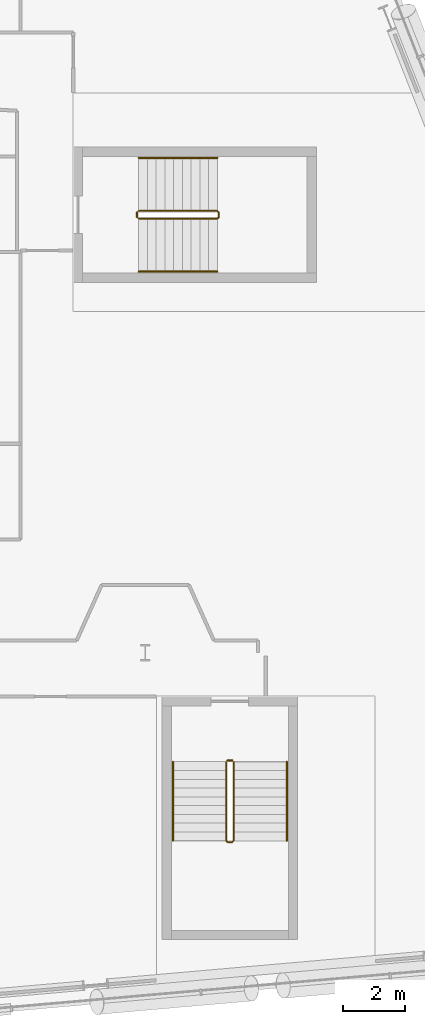
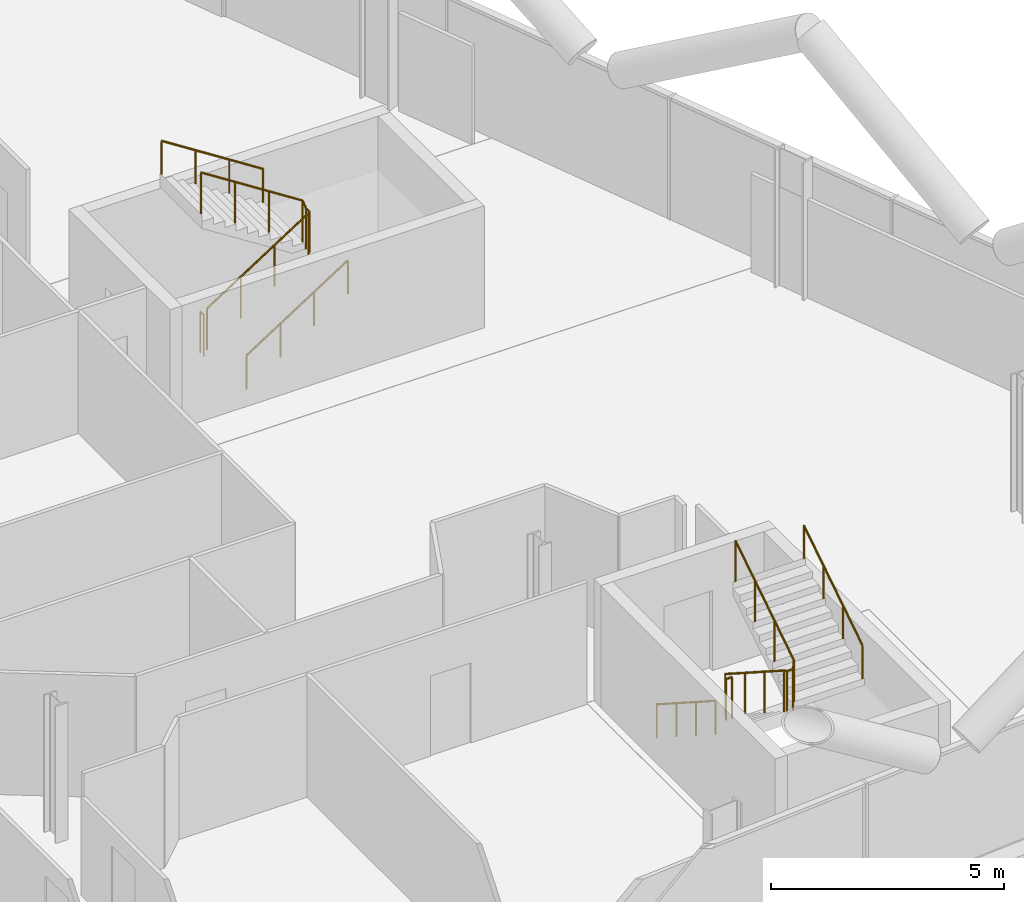
# One storey, part 27 of 27: 8 railings.
"""IFC4 building model written with IfcOpenShell, lengths in metres."""

from ifc_helpers import new_model, si_unit, direction, frame, origin, origin_2d, place, context, subcontext, project, spatial, circle, extrude, material, type_object, element, save


model = new_model("IFC4")

# Units and contexts
model_context = context("Model", 3, precision=1e-05, world=origin(), true_north=direction((0.0, 1.0)))
body_context = subcontext(model_context, "Body", "Model", "MODEL_VIEW")
ifc_project = project(units=[si_unit("LENGTHUNIT", "METRE"), si_unit("AREAUNIT", "SQUARE_METRE"), si_unit("VOLUMEUNIT", "CUBIC_METRE"), si_unit("PLANEANGLEUNIT", "RADIAN"), si_unit("MASSUNIT", "GRAM", prefix="KILO")], contexts=[model_context])

# Site, building, storey
site_placement = place(None, origin())
site = spatial("IfcSite", under=ifc_project, at=site_placement, CompositionType="ELEMENT")
building_placement = place(site_placement, origin())
building = spatial("IfcBuilding", under=site, at=building_placement, Name="Wharfspan Tower", CompositionType="ELEMENT")
storey_placement = place(building_placement, frame((0.0, 0.0, 111.100098)))
storey = spatial("IfcBuildingStorey", under=building, at=storey_placement, Name="L25", CompositionType="ELEMENT", Elevation=111.100098)

# Railings
ifc_material = material(Name="Steel S355J2", Category="steel")
railing_type_1 = type_object("IfcRailingType", Name="Stair guard 1100", PredefinedType="GUARDRAIL", material=ifc_material)
railing_1_placement = place(storey_placement, frame((74.591064, 7.994629, 0.179932)))
element("IfcRailing", 1, at=railing_1_placement, inside=storey, type_object=railing_type_1, Name="L25 ST5 stair guard 1", PredefinedType="GUARDRAIL", context=body_context, shape_type="SweptSolid", body=[
    extrude(circle(Radius=0.023926, at=origin_2d()), frame((0.0, 0.0, 1.076172), z_axis=(0.0, -0.8412, 0.540725), x_axis=(1.0, 0.0, 0.0)), (0.0, 0.0, 1.0), 2.99585),
    extrude(circle(Radius=0.023926, at=origin_2d()), frame((0.0, -2.52002, 2.695801), z_axis=(0.707107, -0.707107, 0.0), x_axis=(0.707107, 0.707107, 0.0)), (0.0, 0.0, 1.0), 0.070801),
    extrude(circle(Radius=0.023926, at=origin_2d()), frame((0.050049, -2.570068, 2.695801), z_axis=(1.0, 0.0, 0.0), x_axis=(0.0, 1.0, 0.0)), (0.0, 0.0, 1.0), 0.149902),
    extrude(circle(Radius=0.023926, at=origin_2d()), frame((0.199951, -2.570068, 2.695801), z_axis=(0.258544, 0.258544, 0.930758), x_axis=(-0.707107, 0.707107, 0.0)), (0.0, 0.0, 1.0), 0.193604),
    extrude(circle(Radius=0.023926, at=origin_2d()), frame((0.25, -2.52002, 2.875977), z_axis=(0.0, 0.8412, 0.540725), x_axis=(-1.0, 0.0, 0.0)), (0.0, 0.0, 1.0), 2.99585),
    extrude(circle(Radius=0.020996, at=origin_2d()), origin(), (0.0, 0.0, 1.0), 1.052002),
    extrude(circle(Radius=0.020996, at=origin_2d()), frame((0.0, -0.840088, 0.540039)), (0.0, 0.0, 1.0), 1.052002),
    extrude(circle(Radius=0.020996, at=origin_2d()), frame((0.0, -1.679932, 1.079834)), (0.0, 0.0, 1.0), 1.052002),
    extrude(circle(Radius=0.020996, at=origin_2d()), frame((0.0, -2.52002, 1.619873)), (0.0, 0.0, 1.0), 1.052002),
    extrude(circle(Radius=0.020996, at=origin_2d()), frame((0.050049, -2.570068, 1.619873)), (0.0, 0.0, 1.0), 1.052002),
    extrude(circle(Radius=0.020996, at=origin_2d()), frame((0.199951, -2.570068, 1.619873)), (0.0, 0.0, 1.0), 1.052002),
    extrude(circle(Radius=0.020996, at=origin_2d()), frame((0.25, -2.52002, 1.800049)), (0.0, 0.0, 1.0), 1.052002),
    extrude(circle(Radius=0.020996, at=origin_2d()), frame((0.25, -1.679932, 2.340088)), (0.0, 0.0, 1.0), 1.052002),
    extrude(circle(Radius=0.020996, at=origin_2d()), frame((0.25, -0.840088, 2.879883)), (0.0, 0.0, 1.0), 1.052002),
    extrude(circle(Radius=0.020996, at=origin_2d()), frame((0.25, 0.0, 3.419922)), (0.0, 0.0, 1.0), 1.052002),
])
railing_2_placement = place(storey_placement, frame((74.641113, 8.044678, 0.0)))
element("IfcRailing", 2, at=railing_2_placement, inside=storey, type_object=railing_type_1, Name="L25 ST5 stair guard 2", PredefinedType="GUARDRAIL", context=body_context, shape_type="SweptSolid", body=[
    extrude(circle(Radius=0.023926, at=origin_2d()), frame((0.0, 0.0, 1.076172), z_axis=(1.0, 0.0, 0.0), x_axis=(0.0, 1.0, 0.0)), (0.0, 0.0, 1.0), 0.149902),
    extrude(circle(Radius=0.020996, at=origin_2d()), origin(), (0.0, 0.0, 1.0), 1.052002),
    extrude(circle(Radius=0.020996, at=origin_2d()), frame((0.149902, 0.0, 0.0)), (0.0, 0.0, 1.0), 1.052002),
])
railing_3_placement = place(storey_placement, frame((71.790283, 25.425049, 0.179932)))
element("IfcRailing", 3, at=railing_3_placement, inside=storey, type_object=railing_type_1, Name="L25 ST6 stair guard 1", PredefinedType="GUARDRAIL", context=body_context, shape_type="SweptSolid", body=[
    extrude(circle(Radius=0.023926, at=origin_2d()), frame((0.0, 0.0, 1.076172), z_axis=(0.8412, 0.0, 0.540725), x_axis=(0.0, 1.0, 0.0)), (0.0, 0.0, 1.0), 2.99585),
    extrude(circle(Radius=0.023926, at=origin_2d()), frame((2.52002, 0.0, 2.695801), z_axis=(0.707107, 0.707107, 0.0), x_axis=(-0.707107, 0.707107, 0.0)), (0.0, 0.0, 1.0), 0.070801),
    extrude(circle(Radius=0.023926, at=origin_2d()), frame((2.570068, 0.050049, 2.695801), z_axis=(0.0, 1.0, 0.0), x_axis=(-1.0, 0.0, 0.0)), (0.0, 0.0, 1.0), 0.149902),
    extrude(circle(Radius=0.023926, at=origin_2d()), frame((2.570068, 0.199951, 2.695801), z_axis=(-0.258544, 0.258544, 0.930758), x_axis=(-0.707107, -0.707107, 0.0)), (0.0, 0.0, 1.0), 0.193604),
    extrude(circle(Radius=0.023926, at=origin_2d()), frame((2.52002, 0.25, 2.875977), z_axis=(-0.8412, 0.0, 0.540725), x_axis=(0.0, -1.0, 0.0)), (0.0, 0.0, 1.0), 2.99585),
    extrude(circle(Radius=0.020996, at=origin_2d()), origin(), (0.0, 0.0, 1.0), 1.052002),
    extrude(circle(Radius=0.020996, at=origin_2d()), frame((0.840088, 0.0, 0.540039)), (0.0, 0.0, 1.0), 1.052002),
    extrude(circle(Radius=0.020996, at=origin_2d()), frame((1.679932, 0.0, 1.079834)), (0.0, 0.0, 1.0), 1.052002),
    extrude(circle(Radius=0.020996, at=origin_2d()), frame((2.52002, 0.0, 1.619873)), (0.0, 0.0, 1.0), 1.052002),
    extrude(circle(Radius=0.020996, at=origin_2d()), frame((2.570068, 0.050049, 1.619873)), (0.0, 0.0, 1.0), 1.052002),
    extrude(circle(Radius=0.020996, at=origin_2d()), frame((2.570068, 0.199951, 1.619873)), (0.0, 0.0, 1.0), 1.052002),
    extrude(circle(Radius=0.020996, at=origin_2d()), frame((2.52002, 0.25, 1.800049)), (0.0, 0.0, 1.0), 1.052002),
    extrude(circle(Radius=0.020996, at=origin_2d()), frame((1.679932, 0.25, 2.340088)), (0.0, 0.0, 1.0), 1.052002),
    extrude(circle(Radius=0.020996, at=origin_2d()), frame((0.840088, 0.25, 2.879883)), (0.0, 0.0, 1.0), 1.052002),
    extrude(circle(Radius=0.020996, at=origin_2d()), frame((0.0, 0.25, 3.419922)), (0.0, 0.0, 1.0), 1.052002),
])
railing_4_placement = place(storey_placement, frame((71.740479, 25.475098, 0.0)))
element("IfcRailing", 4, at=railing_4_placement, inside=storey, type_object=railing_type_1, Name="L25 ST6 stair guard 2", PredefinedType="GUARDRAIL", context=body_context, shape_type="SweptSolid", body=[
    extrude(circle(Radius=0.023926, at=origin_2d()), frame((0.0, 0.0, 1.076172), z_axis=(0.0, 1.0, 0.0), x_axis=(-1.0, 0.0, 0.0)), (0.0, 0.0, 1.0), 0.149902),
    extrude(circle(Radius=0.020996, at=origin_2d()), origin(), (0.0, 0.0, 1.0), 1.052002),
    extrude(circle(Radius=0.020996, at=origin_2d()), frame((0.0, 0.149902, 0.0)), (0.0, 0.0, 1.0), 1.052002),
])
railing_type_2 = type_object("IfcRailingType", Name="Stair handrail 900", PredefinedType="HANDRAIL", material=ifc_material)
railing_5_placement = place(storey_placement, frame((72.891113, 7.994629, 0.179932)))
element("IfcRailing", 5, at=railing_5_placement, inside=storey, type_object=railing_type_2, Name="L25 ST5 stair handrail 1", PredefinedType="HANDRAIL", context=body_context, shape_type="SweptSolid", body=[
    extrude(circle(Radius=0.023926, at=origin_2d()), frame((0.0, 0.0, 0.875977), z_axis=(0.0, -0.8412, 0.540725), x_axis=(1.0, 0.0, 0.0)), (0.0, 0.0, 1.0), 2.99585),
    extrude(circle(Radius=0.020996, at=origin_2d()), origin(), (0.0, 0.0, 1.0), 0.851807),
    extrude(circle(Radius=0.020996, at=origin_2d()), frame((0.0, -0.840088, 0.540039)), (0.0, 0.0, 1.0), 0.851807),
    extrude(circle(Radius=0.020996, at=origin_2d()), frame((0.0, -1.679932, 1.079834)), (0.0, 0.0, 1.0), 0.851807),
    extrude(circle(Radius=0.020996, at=origin_2d()), frame((0.0, -2.52002, 1.619873)), (0.0, 0.0, 1.0), 0.851807),
])
railing_6_placement = place(storey_placement, frame((76.541016, 5.474609, 1.97998)))
element("IfcRailing", 6, at=railing_6_placement, inside=storey, type_object=railing_type_2, Name="L25 ST5 stair handrail 2", PredefinedType="HANDRAIL", context=body_context, shape_type="SweptSolid", body=[
    extrude(circle(Radius=0.023926, at=origin_2d()), frame((0.0, 0.0, 0.875977), z_axis=(0.0, 0.8412, 0.540725), x_axis=(-1.0, 0.0, 0.0)), (0.0, 0.0, 1.0), 2.99585),
    extrude(circle(Radius=0.020996, at=origin_2d()), origin(), (0.0, 0.0, 1.0), 0.851807),
    extrude(circle(Radius=0.020996, at=origin_2d()), frame((0.0, 0.840088, 0.540039)), (0.0, 0.0, 1.0), 0.851807),
    extrude(circle(Radius=0.020996, at=origin_2d()), frame((0.0, 1.679932, 1.079834)), (0.0, 0.0, 1.0), 0.851807),
    extrude(circle(Radius=0.020996, at=origin_2d()), frame((0.0, 2.52002, 1.619873)), (0.0, 0.0, 1.0), 0.851807),
])
railing_7_placement = place(storey_placement, frame((71.790283, 23.725098, 0.179932)))
element("IfcRailing", 7, at=railing_7_placement, inside=storey, type_object=railing_type_2, Name="L25 ST6 stair handrail 1", PredefinedType="HANDRAIL", context=body_context, shape_type="SweptSolid", body=[
    extrude(circle(Radius=0.023926, at=origin_2d()), frame((0.0, 0.0, 0.875977), z_axis=(0.8412, 0.0, 0.540725), x_axis=(0.0, 1.0, 0.0)), (0.0, 0.0, 1.0), 2.99585),
    extrude(circle(Radius=0.020996, at=origin_2d()), origin(), (0.0, 0.0, 1.0), 0.851807),
    extrude(circle(Radius=0.020996, at=origin_2d()), frame((0.840088, 0.0, 0.540039)), (0.0, 0.0, 1.0), 0.851807),
    extrude(circle(Radius=0.020996, at=origin_2d()), frame((1.679932, 0.0, 1.079834)), (0.0, 0.0, 1.0), 0.851807),
    extrude(circle(Radius=0.020996, at=origin_2d()), frame((2.52002, 0.0, 1.619873)), (0.0, 0.0, 1.0), 0.851807),
])
railing_8_placement = place(storey_placement, frame((74.310303, 27.375, 1.97998)))
element("IfcRailing", 8, at=railing_8_placement, inside=storey, type_object=railing_type_2, Name="L25 ST6 stair handrail 2", PredefinedType="HANDRAIL", context=body_context, shape_type="SweptSolid", body=[
    extrude(circle(Radius=0.023926, at=origin_2d()), frame((0.0, 0.0, 0.875977), z_axis=(-0.8412, 0.0, 0.540725), x_axis=(0.0, -1.0, 0.0)), (0.0, 0.0, 1.0), 2.99585),
    extrude(circle(Radius=0.020996, at=origin_2d()), origin(), (0.0, 0.0, 1.0), 0.851807),
    extrude(circle(Radius=0.020996, at=origin_2d()), frame((-0.840088, 0.0, 0.540039)), (0.0, 0.0, 1.0), 0.851807),
    extrude(circle(Radius=0.020996, at=origin_2d()), frame((-1.679932, 0.0, 1.079834)), (0.0, 0.0, 1.0), 0.851807),
    extrude(circle(Radius=0.020996, at=origin_2d()), frame((-2.52002, 0.0, 1.619873)), (0.0, 0.0, 1.0), 0.851807),
])

save(model, "model.ifc")
